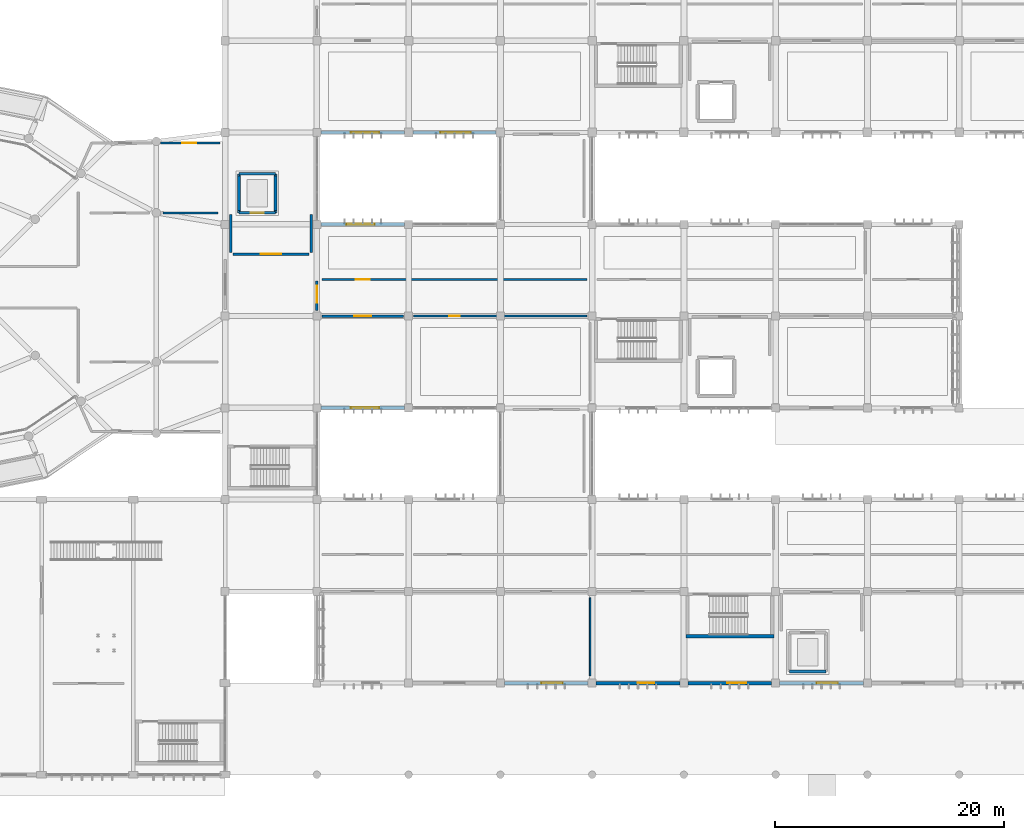
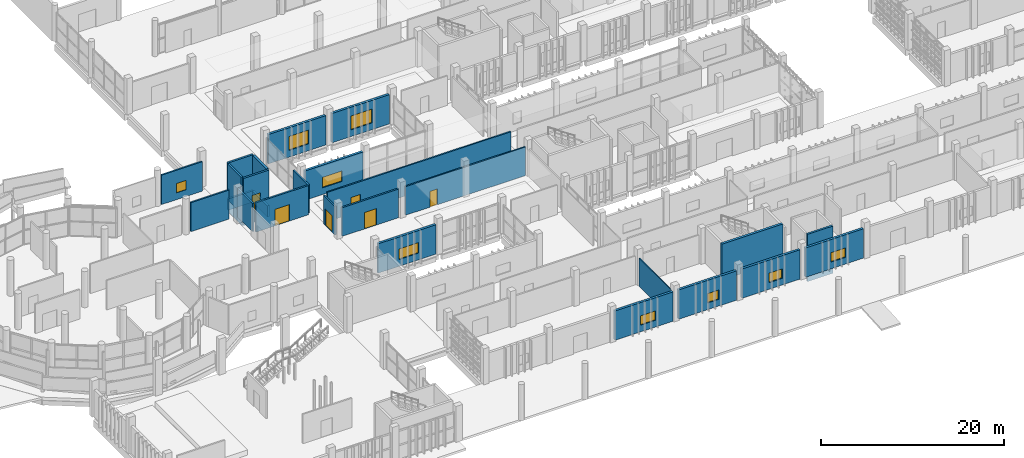
# One storey, part 84 of 117: 29 walls, 9 windows, 6 doors, 15 openings.
"""IFC4 building model written with IfcOpenShell, lengths in metres."""

import ifcopenshell
import ifcopenshell.guid

model = None  # the IFC model being written
_history = None  # IfcOwnerHistory: only IFC2X3 demands one
_inside = {}  # id of a spatial element -> (the spatial element, [elements in it])
_under = {}  # id of a project, library or spatial element -> (it, [spatial elements below it])
_declared = {}  # id of a project -> (the project, [libraries it declares])
_typed = {}  # id of a type object -> (the type object, [elements of that type])
_made_of = {}  # id of a material, layer set ... -> (it, [elements and type objects made of it])


def new_model(schema):
    """Start an empty IFC model of exactly this schema.

    Asked for "IFC4X3", IfcOpenShell would pick the latest addendum, in which some entities
    have other attributes; the version numbers below select the first issue.
    IFC2X3 requires an IfcOwnerHistory on every rooted entity: one is made here for all.
    """
    global model, _history
    if schema == "IFC4X3":
        model = ifcopenshell.file(schema_version=(4, 3, 0, 0))
    else:
        model = ifcopenshell.file(schema=schema)
    _inside.clear()
    _under.clear()
    _declared.clear()
    _typed.clear()
    _made_of.clear()
    _history = None
    if model.schema == "IFC2X3":
        org = make("IfcOrganization", Name="unknown")
        user = make(
            "IfcPersonAndOrganization",
            ThePerson=make("IfcPerson", FamilyName="unknown"),
            TheOrganization=org,
        )
        app = make(
            "IfcApplication",
            ApplicationDeveloper=org,
            Version="unknown",
            ApplicationFullName="unknown",
            ApplicationIdentifier="unknown",
        )
        _history = make(
            "IfcOwnerHistory",
            OwningUser=user,
            OwningApplication=app,
            ChangeAction="ADDED",
            CreationDate=0,
        )
    return model


def make(cls, **values):
    """One entity of the class cls with the attributes given. An attribute that is None is left unset."""
    return model.create_entity(
        cls, **{name: value for name, value in values.items() if value is not None}
    )


def rooted(cls, **values):
    """An entity with a GlobalId (a new one), such as an element, a storey or a relation."""
    return make(cls, GlobalId=ifcopenshell.guid.new(), OwnerHistory=_history, **values)


def si_unit(unit_type, name, prefix=None):
    """IfcSIUnit, for example si_unit("LENGTHUNIT", "METRE", prefix="MILLI")."""
    return make("IfcSIUnit", UnitType=unit_type, Prefix=prefix, Name=name)


def assignment(units):
    """IfcUnitAssignment: the units of a project."""
    return None if units is None else make("IfcUnitAssignment", Units=units)


def point(xyz):
    """IfcCartesianPoint."""
    return None if xyz is None else make("IfcCartesianPoint", Coordinates=xyz)


def direction(xyz):
    """IfcDirection."""
    return None if xyz is None else make("IfcDirection", DirectionRatios=xyz)


def frame(location, z_axis=None, x_axis=None):
    """IfcAxis2Placement3D, a coordinate frame: its origin and axes. An axis left out is left unset."""
    return make(
        "IfcAxis2Placement3D",
        Location=point(location),
        Axis=direction(z_axis),
        RefDirection=direction(x_axis),
    )


def frame_2d(location, x_axis=None):
    """IfcAxis2Placement2D, a coordinate frame in the plane: its origin and x axis."""
    return make(
        "IfcAxis2Placement2D", Location=point(location), RefDirection=direction(x_axis)
    )


def origin():
    """The frame at (0, 0, 0) with its axes left unset."""
    return frame((0.0, 0.0, 0.0))


def place(relative_to, where):
    """IfcLocalPlacement: puts the frame where relative to a parent placement (None: the world)."""
    return make(
        "IfcLocalPlacement", PlacementRelTo=relative_to, RelativePlacement=where
    )


def context(
    kind, dimensions, precision=None, world=None, true_north=None, identifier=None
):
    """IfcGeometricRepresentationContext, for example the 3D "Model" context."""
    return make(
        "IfcGeometricRepresentationContext",
        ContextIdentifier=identifier,
        ContextType=kind,
        CoordinateSpaceDimension=dimensions,
        Precision=precision,
        WorldCoordinateSystem=world,
        TrueNorth=true_north,
    )


def subcontext(parent, identifier, kind, view, scale=None):
    """IfcGeometricRepresentationSubContext, for example "Body" below "Model"."""
    return make(
        "IfcGeometricRepresentationSubContext",
        ContextIdentifier=identifier,
        ContextType=kind,
        ParentContext=parent,
        TargetScale=scale,
        TargetView=view,
    )


def project(units=None, contexts=None):
    """IfcProject with its units and contexts."""
    return rooted(
        "IfcProject",
        Name="project",
        RepresentationContexts=contexts,
        UnitsInContext=assignment(units),
    )


def spatial(cls, under=None, at=None, **own):
    """A site, building, storey or space (cls), placed at a placement, below another one or the project."""
    s = rooted(cls, ObjectPlacement=at, **own)
    if under is not None:
        _under.setdefault(under.id(), (under, []))[1].append(s)
    return s


def profile(cls, at=None, kind="AREA", **sizes):
    """A parametric profile (cls). Its sizes go by their IFC names, for example OverallWidth=200.0."""
    return make(cls, ProfileType=kind, Position=at, **sizes)


def rectangle(**sizes):
    """IfcRectangleProfileDef."""
    return profile("IfcRectangleProfileDef", **sizes)


def extrude(swept, where, along, depth):
    """IfcExtrudedAreaSolid: the profile swept, set in the frame where, extruded along a direction by depth."""
    return make(
        "IfcExtrudedAreaSolid",
        SweptArea=swept,
        Position=where,
        ExtrudedDirection=direction(along),
        Depth=depth,
    )


def shape(context_of_items, identifier, shape_type, items):
    """IfcShapeRepresentation: the items that make up one representation, for example the "Body"."""
    return make(
        "IfcShapeRepresentation",
        ContextOfItems=context_of_items,
        RepresentationIdentifier=identifier,
        RepresentationType=shape_type,
        Items=items,
    )


def material(Name=None, Category=None):
    """IfcMaterial."""
    return make("IfcMaterial", Name=Name, Category=Category)


def layer(
    of_material, thickness, ventilated=None, Name=None, Category=None, Priority=None
):
    """IfcMaterialLayer: one layer of a wall or slab, of a material (None: an air gap)."""
    return make(
        "IfcMaterialLayer",
        Material=of_material,
        LayerThickness=thickness,
        IsVentilated=ventilated,
        Name=Name,
        Category=Category,
        Priority=Priority,
    )


def layer_set(layers, Name=None):
    """IfcMaterialLayerSet."""
    return make("IfcMaterialLayerSet", MaterialLayers=layers, LayerSetName=Name)


def made_of(thing, what):
    """Note that an element or type object is made of a material, layer set ...; save() writes the relation."""
    if what is not None:
        _made_of.setdefault(what.id(), (what, []))[1].append(thing)
    return thing


def type_object(cls, material=None, **own):
    """A type object (cls), such as IfcWallType, which elements share."""
    return made_of(rooted(cls, **own), material)


def element(
    cls,
    number,
    at=None,
    inside=None,
    cuts=None,
    type_object=None,
    material=None,
    context=None,
    identifier="Body",
    shape_type=None,
    held_by="IfcProductDefinitionShape",
    body=None,
    shapes=None,
    **own,
):
    """One element of the class cls, such as IfcWall. Its Tag is "e" and its number.

    at: its placement. inside: the storey or other place that contains it. cuts: it is an
    opening in that element (IfcRelVoidsElement). A single representation is given by context,
    identifier, shape_type and body (its items); several are given by shapes. held_by: the class
    of the entity that holds the representations. save() writes the other relations.
    """
    e = rooted(cls, Tag="e%d" % number, ObjectPlacement=at, **own)
    if body is not None:
        shapes = [shape(context, identifier, shape_type, body)]
    if shapes is not None:
        e.Representation = make(held_by, Representations=shapes)
    if inside is not None:
        _inside.setdefault(inside.id(), (inside, []))[1].append(e)
    if cuts is not None:
        rooted(
            "IfcRelVoidsElement", RelatingBuildingElement=cuts, RelatedOpeningElement=e
        )
    if type_object is not None:
        _typed.setdefault(type_object.id(), (type_object, []))[1].append(e)
    return made_of(e, material)


def fill(opening, filler):
    """IfcRelFillsElement: the door or window that sits in an opening."""
    return rooted(
        "IfcRelFillsElement",
        RelatingOpeningElement=opening,
        RelatedBuildingElement=filler,
    )


def aggregate(whole, parts):
    """IfcRelAggregates: a whole, such as a stair, and the parts it consists of."""
    return rooted("IfcRelAggregates", RelatingObject=whole, RelatedObjects=parts)


def save(model, path):
    """Write the relations noted so far, then the file.

    IfcRelAggregates (storeys below a building ...), IfcRelContainedInSpatialStructure (elements
    in a storey), IfcRelDefinesByType, IfcRelAssociatesMaterial and IfcRelDeclares: one each for
    every whole, place, type object, material and project.
    """
    for whole, parts in _under.values():
        aggregate(whole, parts)
    for where, things in _inside.values():
        rooted(
            "IfcRelContainedInSpatialStructure",
            RelatedElements=things,
            RelatingStructure=where,
        )
    for kind, things in _typed.values():
        rooted("IfcRelDefinesByType", RelatedObjects=things, RelatingType=kind)
    for what, things in _made_of.values():
        rooted("IfcRelAssociatesMaterial", RelatedObjects=things, RelatingMaterial=what)
    for by, libraries in _declared.values():
        rooted("IfcRelDeclares", RelatingContext=by, RelatedDefinitions=libraries)
    model.write(path)


model = new_model("IFC4")

# Units and contexts
model_context = context("Model", 3, precision=1e-05, world=origin(), true_north=direction((0.0, 1.0)))
body_context = subcontext(model_context, "Body", "Model", "MODEL_VIEW")
ifc_project = project(units=[si_unit("LENGTHUNIT", "METRE"), si_unit("AREAUNIT", "SQUARE_METRE"), si_unit("VOLUMEUNIT", "CUBIC_METRE"), si_unit("PLANEANGLEUNIT", "RADIAN"), si_unit("MASSUNIT", "GRAM", prefix="KILO")], contexts=[model_context])

# Site, building, storey
site_placement = place(None, origin())
site = spatial("IfcSite", under=ifc_project, at=site_placement, CompositionType="ELEMENT")
building_placement = place(site_placement, origin())
building = spatial("IfcBuilding", under=site, at=building_placement, Name="Jelvoka-Kovrelna Polytechnic", CompositionType="ELEMENT")
storey_placement = place(building_placement, origin())
storey = spatial("IfcBuildingStorey", under=building, at=storey_placement, Name="L01", CompositionType="ELEMENT", Elevation=0.0)

# Wall, opening, door
ifc_material_1 = material(Name="Concrete C35/45", Category="concrete")
ifc_layer_1 = layer(ifc_material_1, 0.219970703125)
ifc_layer_set_1 = layer_set([ifc_layer_1], Name="Concrete C35/45")
wall_type_1 = type_object("IfcWallType", Name="Wall_Compartment_220", PredefinedType="PARTITIONING", material=ifc_layer_set_1)
wall_1_placement = place(storey_placement, frame((48.699951171875, 45.39990234375, 0.0), z_axis=(0.0, 0.0, 1.0), x_axis=(1.0, 0.0, 0.0)))
wall_1 = element("IfcWall", 1, at=wall_1_placement, inside=storey, type_object=wall_type_1, Name="L01 interior wall 0567", PredefinedType="PARTITIONING", context=body_context, shape_type="SweptSolid", body=[
    extrude(rectangle(XDim=6.60009765625, YDim=0.219970703125, at=frame_2d((3.300048828125, 0.0))), origin(), (0.0, 0.0, 1.0), 3.89990234375),
])
opening_1_placement = place(wall_1_placement, frame((2.39990234375, 0.0, 0.0)))
opening_1 = element("IfcOpeningElement", 2, at=opening_1_placement, cuts=wall_1, Name="Opening FD-L01-102", PredefinedType="OPENING", context=body_context, shape_type="SweptSolid", body=[
    extrude(rectangle(XDim=1.800048828125, YDim=2.199951171875, at=frame_2d((0.89990234375, 1.10009765625))), frame((0.0, 0.119873046875, 0.0), z_axis=(0.0, -1.0, 0.0), x_axis=(1.0, 0.0, 0.0)), (0.0, 0.0, 1.0), 0.239990234375),
])
ifc_material_2 = material(Name="Paired steel corridor fire door", Category="steel")
door_type_1 = type_object("IfcDoorType", Name="Door_Fire_FD03", OperationType="NOTDEFINED", PredefinedType="DOOR", material=ifc_material_2)
door_1_placement = place(opening_1_placement, origin())
door_1 = element("IfcDoor", 3, at=door_1_placement, inside=storey, type_object=door_type_1, Name="L01 interior door FD-L01-102", OperationType="DOUBLE_DOOR_SINGLE_SWING", OverallHeight=2.199951171875, OverallWidth=1.800048828125, PredefinedType="DOOR", context=body_context, shape_type="SweptSolid", body=[
    extrude(rectangle(XDim=1.800048828125, YDim=2.199951171875, at=frame_2d((0.89990234375, 1.10009765625))), frame((0.0, 0.02490234375, 0.0), z_axis=(0.0, -1.0, 0.0), x_axis=(1.0, 0.0, 0.0)), (0.0, 0.0, 1.0), 0.050048828125),
])
fill(opening_1, door_1)

# Walls
for number, where, z_axis, x_axis, name in (
    (4, (48.5, 45.550048828125, 0.0), (0.0, 0.0, 1.0), (0.0, 1.0, 0.0), "L01 interior wall 0568"),
    (5, (55.5, 45.550048828125, 0.0), (0.0, 0.0, 1.0), (0.0, 1.0, 0.0), "L01 interior wall 0569"),
):
    element("IfcWall", number, at=place(storey_placement, frame(where, z_axis=z_axis, x_axis=x_axis)), inside=storey, type_object=wall_type_1, Name=name, PredefinedType="PARTITIONING", context=body_context, shape_type="SweptSolid", body=[
        extrude(rectangle(XDim=3.300048828125, YDim=0.219970703125, at=frame_2d((1.64990234375, 0.0))), origin(), (0.0, 0.0, 1.0), 3.760009765625),
    ])

# Wall, opening, door
wall_2_placement = place(storey_placement, frame((56.429931640625, 40.0, 0.0), z_axis=(0.0, 0.0, 1.0), x_axis=(1.0, 0.0, 0.0)))
wall_2 = element("IfcWall", 6, at=wall_2_placement, inside=storey, type_object=wall_type_1, Name="L01 interior wall 0869", PredefinedType="PARTITIONING", context=body_context, shape_type="SweptSolid", body=[
    extrude(rectangle(XDim=7.14013671875, YDim=0.219970703125, at=frame_2d((3.570068359375, 0.0))), origin(), (0.0, 0.0, 1.0), 3.81005859375),
])
opening_2_placement = place(wall_2_placement, frame((2.820068359375, 0.0, 0.0)))
opening_2 = element("IfcOpeningElement", 7, at=opening_2_placement, cuts=wall_2, Name="Opening D-L01-166", PredefinedType="OPENING", context=body_context, shape_type="SweptSolid", body=[
    extrude(rectangle(XDim=1.5, YDim=2.199951171875, at=frame_2d((0.75, 1.10009765625))), frame((0.0, 0.119873046875, 0.0), z_axis=(0.0, -1.0, 0.0), x_axis=(1.0, 0.0, 0.0)), (0.0, 0.0, 1.0), 0.239990234375),
])
ifc_material_3 = material(Name="Paired steel stair lobby fire door", Category="steel")
door_type_2 = type_object("IfcDoorType", Name="Door_Fire_FD04", OperationType="NOTDEFINED", PredefinedType="DOOR", material=ifc_material_3)
door_2_placement = place(opening_2_placement, origin())
door_2 = element("IfcDoor", 8, at=door_2_placement, inside=storey, type_object=door_type_2, Name="L01 interior door D-L01-166", OperationType="DOUBLE_DOOR_SINGLE_SWING", OverallHeight=2.199951171875, OverallWidth=1.5, PredefinedType="DOOR", context=body_context, shape_type="SweptSolid", body=[
    extrude(rectangle(XDim=1.5, YDim=2.199951171875, at=frame_2d((0.75, 1.10009765625))), frame((0.0, 0.02490234375, 0.0), z_axis=(0.0, -1.0, 0.0), x_axis=(1.0, 0.0, 0.0)), (0.0, 0.0, 1.0), 0.050048828125),
])
fill(opening_2, door_2)

wall_3_placement = place(storey_placement, frame((56.0, 40.5, 0.0), z_axis=(0.0, 0.0, 1.0), x_axis=(0.0, 1.0, 0.0)))
wall_3 = element("IfcWall", 9, at=wall_3_placement, inside=storey, type_object=wall_type_1, Name="L01 interior wall 1327", PredefinedType="PARTITIONING", context=body_context, shape_type="SweptSolid", body=[
    extrude(rectangle(XDim=2.550048828125, YDim=0.219970703125, at=frame_2d((1.27490234375, 0.0))), origin(), (0.0, 0.0, 1.0), 3.760009765625),
])
opening_3_placement = place(wall_3_placement, frame((0.64990234375, 0.0, 0.0)))
opening_3 = element("IfcOpeningElement", 10, at=opening_3_placement, cuts=wall_3, Name="Opening FD-L01-479", PredefinedType="OPENING", context=body_context, shape_type="SweptSolid", body=[
    extrude(rectangle(XDim=1.5, YDim=2.199951171875, at=frame_2d((0.75, 1.10009765625))), frame((0.0, 0.119873046875, 0.0), z_axis=(0.0, -1.0, 0.0), x_axis=(1.0, 0.0, 0.0)), (0.0, 0.0, 1.0), 0.239990234375),
])
door_3_placement = place(opening_3_placement, origin())
door_3 = element("IfcDoor", 11, at=door_3_placement, inside=storey, type_object=door_type_2, Name="L01 interior door FD-L01-479", OperationType="DOUBLE_DOOR_SINGLE_SWING", OverallHeight=2.199951171875, OverallWidth=1.5, PredefinedType="DOOR", context=body_context, shape_type="SweptSolid", body=[
    extrude(rectangle(XDim=1.5, YDim=2.199951171875, at=frame_2d((0.75, 1.10009765625))), frame((0.0, 0.02490234375, 0.0), z_axis=(0.0, -1.0, 0.0), x_axis=(1.0, 0.0, 0.0)), (0.0, 0.0, 1.0), 0.050048828125),
])
fill(opening_3, door_3)

# Walls
ifc_material_4 = material(Name="Concrete C40/50", Category="concrete")
ifc_layer_2 = layer(ifc_material_4, 0.25)
ifc_layer_set_2 = layer_set([ifc_layer_2], Name="Concrete C40/50")
wall_type_2 = type_object("IfcWallType", Name="Wall_Core_250", PredefinedType="SOLIDWALL", material=ifc_layer_set_2)
wall_4_placement = place(storey_placement, frame((97.199951171875, 9.0, -1.5), z_axis=(0.0, 0.0, 1.0), x_axis=(1.0, 0.0, 0.0)))
element("IfcWall", 12, at=wall_4_placement, inside=storey, type_object=wall_type_2, Name="L01 interior wall 0516", PredefinedType="SOLIDWALL", context=body_context, shape_type="SweptSolid", body=[
    extrude(rectangle(XDim=3.199951171875, YDim=0.25, at=frame_2d((1.60009765625, 0.0))), origin(), (0.0, 0.0, 1.0), 1.5),
])
wall_5_placement = place(storey_placement, frame((97.199951171875, 9.0, 0.0), z_axis=(0.0, 0.0, 1.0), x_axis=(1.0, 0.0, 0.0)))
element("IfcWall", 13, at=wall_5_placement, inside=storey, type_object=wall_type_2, Name="L01 interior wall 0520", PredefinedType="SOLIDWALL", context=body_context, shape_type="SweptSolid", body=[
    extrude(rectangle(XDim=3.199951171875, YDim=0.25, at=frame_2d((1.60009765625, 0.0))), origin(), (0.0, 0.0, 1.0), 4.800048828125),
])
wall_6_placement = place(storey_placement, frame((49.199951171875, 49.0, -1.5), z_axis=(0.0, 0.0, 1.0), x_axis=(1.0, 0.0, 0.0)))
element("IfcWall", 14, at=wall_6_placement, inside=storey, type_object=wall_type_2, Name="L01 interior wall 0559", PredefinedType="SOLIDWALL", context=body_context, shape_type="SweptSolid", body=[
    extrude(rectangle(XDim=3.199951171875, YDim=0.25, at=frame_2d((1.60009765625, 0.0))), origin(), (0.0, 0.0, 1.0), 1.5),
])
wall_7_placement = place(storey_placement, frame((52.39990234375, 49.0, -1.5), z_axis=(0.0, 0.0, 1.0), x_axis=(0.0, 1.0, 0.0)))
element("IfcWall", 15, at=wall_7_placement, inside=storey, type_object=wall_type_2, Name="L01 interior wall 0560", PredefinedType="SOLIDWALL", context=body_context, shape_type="SweptSolid", body=[
    extrude(rectangle(XDim=3.39990234375, YDim=0.25, at=frame_2d((1.699951171875, 0.0))), origin(), (0.0, 0.0, 1.0), 1.5),
])
wall_8_placement = place(storey_placement, frame((52.39990234375, 52.39990234375, -1.5), z_axis=(0.0, 0.0, 1.0), x_axis=(-1.0, 0.0, 0.0)))
element("IfcWall", 16, at=wall_8_placement, inside=storey, type_object=wall_type_2, Name="L01 interior wall 0561", PredefinedType="SOLIDWALL", context=body_context, shape_type="SweptSolid", body=[
    extrude(rectangle(XDim=3.199951171875, YDim=0.25, at=frame_2d((1.60009765625, 0.0))), origin(), (0.0, 0.0, 1.0), 1.5),
])
wall_9_placement = place(storey_placement, frame((49.199951171875, 52.39990234375, -1.5), z_axis=(0.0, 0.0, 1.0), x_axis=(0.0, -1.0, 0.0)))
element("IfcWall", 17, at=wall_9_placement, inside=storey, type_object=wall_type_2, Name="L01 interior wall 0562", PredefinedType="SOLIDWALL", context=body_context, shape_type="SweptSolid", body=[
    extrude(rectangle(XDim=3.39990234375, YDim=0.25, at=frame_2d((1.699951171875, 0.0))), origin(), (0.0, 0.0, 1.0), 1.5),
])

# Wall, opening, door
wall_10_placement = place(storey_placement, frame((49.199951171875, 49.0, 0.0), z_axis=(0.0, 0.0, 1.0), x_axis=(1.0, 0.0, 0.0)))
wall_10 = element("IfcWall", 18, at=wall_10_placement, inside=storey, type_object=wall_type_2, Name="L01 interior wall 0563", PredefinedType="SOLIDWALL", context=body_context, shape_type="SweptSolid", body=[
    extrude(rectangle(XDim=3.199951171875, YDim=0.25, at=frame_2d((1.60009765625, 0.0))), origin(), (0.0, 0.0, 1.0), 4.800048828125),
])
opening_4_placement = place(wall_10_placement, frame((1.050048828125, 0.0, 0.0)))
opening_4 = element("IfcOpeningElement", 19, at=opening_4_placement, cuts=wall_10, Name="Opening LD-L01-39", PredefinedType="OPENING", context=body_context, shape_type="SweptSolid", body=[
    extrude(rectangle(XDim=1.10009765625, YDim=2.14990234375, at=frame_2d((0.550048828125, 1.074951171875))), frame((0.0, 0.135009765625, 0.0), z_axis=(0.0, -1.0, 0.0), x_axis=(1.0, 0.0, 0.0)), (0.0, 0.0, 1.0), 0.27001953125),
])
ifc_material_5 = material(Name="Brushed stainless steel sliding landing door", Category="steel")
door_type_3 = type_object("IfcDoorType", Name="Door_Lift_LD01", OperationType="NOTDEFINED", PredefinedType="DOOR", material=ifc_material_5)
door_4_placement = place(opening_4_placement, origin())
door_4 = element("IfcDoor", 20, at=door_4_placement, inside=storey, type_object=door_type_3, Name="L01 lift landing sliding door LD-L01-39", OperationType="DOUBLE_DOOR_SLIDING", OverallHeight=2.14990234375, OverallWidth=1.10009765625, PredefinedType="DOOR", context=body_context, shape_type="SweptSolid", body=[
    extrude(rectangle(XDim=1.10009765625, YDim=2.14990234375, at=frame_2d((0.550048828125, 1.074951171875))), frame((0.0, 0.02490234375, 0.0), z_axis=(0.0, -1.0, 0.0), x_axis=(1.0, 0.0, 0.0)), (0.0, 0.0, 1.0), 0.050048828125),
])
fill(opening_4, door_4)

# Walls
wall_11_placement = place(storey_placement, frame((49.199951171875, 52.39990234375, 0.0), z_axis=(0.0, 0.0, 1.0), x_axis=(1.0, 0.0, 0.0)))
element("IfcWall", 21, at=wall_11_placement, inside=storey, type_object=wall_type_2, Name="L01 interior wall 0564", PredefinedType="SOLIDWALL", context=body_context, shape_type="SweptSolid", body=[
    extrude(rectangle(XDim=3.199951171875, YDim=0.25, at=frame_2d((1.60009765625, 0.0))), origin(), (0.0, 0.0, 1.0), 4.800048828125),
])
for number, where, z_axis, x_axis, name in (
    (22, (49.199951171875, 49.199951171875, 0.0), (0.0, 0.0, 1.0), (0.0, 1.0, 0.0), "L01 interior wall 0565"),
    (23, (52.39990234375, 49.199951171875, 0.0), (0.0, 0.0, 1.0), (0.0, 1.0, 0.0), "L01 interior wall 0566"),
):
    element("IfcWall", number, at=place(storey_placement, frame(where, z_axis=z_axis, x_axis=x_axis)), inside=storey, type_object=wall_type_2, Name=name, PredefinedType="SOLIDWALL", context=body_context, shape_type="SweptSolid", body=[
        extrude(rectangle(XDim=3.0, YDim=0.25, at=frame_2d((1.5, 0.0))), origin(), (0.0, 0.0, 1.0), 4.800048828125),
    ])

# Wall, opening, door
ifc_material_6 = material(Name="Autoclaved aerated concrete blockwork", Category="masonry")
ifc_layer_3 = layer(ifc_material_6, 0.179931640625)
ifc_layer_set_3 = layer_set([ifc_layer_3], Name="Autoclaved aerated concrete blockwork")
wall_type_3 = type_object("IfcWallType", Name="Wall_Corridor_180", PredefinedType="PARTITIONING", material=ifc_layer_set_3)
wall_12_placement = place(storey_placement, frame((64.429931640625, 40.0, 0.0), z_axis=(0.0, 0.0, 1.0), x_axis=(1.0, 0.0, 0.0)))
wall_12 = element("IfcWall", 24, at=wall_12_placement, inside=storey, type_object=wall_type_3, Name="L01 interior wall 0870", PredefinedType="PARTITIONING", context=body_context, shape_type="SweptSolid", body=[
    extrude(rectangle(XDim=15.14013671875, YDim=0.179931640625, at=frame_2d((7.570068359375, 0.0))), origin(), (0.0, 0.0, 1.0), 3.81005859375),
])
opening_5_placement = place(wall_12_placement, frame((3.094970703125, 0.0, 0.0)))
opening_5 = element("IfcOpeningElement", 25, at=opening_5_placement, cuts=wall_12, Name="Opening D-L01-167", PredefinedType="OPENING", context=body_context, shape_type="SweptSolid", body=[
    extrude(rectangle(XDim=0.949951171875, YDim=2.10009765625, at=frame_2d((0.47509765625, 1.050048828125))), frame((0.0, 0.099853515625, 0.0), z_axis=(0.0, -1.0, 0.0), x_axis=(1.0, 0.0, 0.0)), (0.0, 0.0, 1.0), 0.199951171875),
])
ifc_material_7 = material(Name="Hardwood fire-resisting laboratory door", Category="wood")
door_type_4 = type_object("IfcDoorType", Name="Door_Fire_FD30_01", OperationType="NOTDEFINED", PredefinedType="DOOR", material=ifc_material_7)
door_5_placement = place(opening_5_placement, origin())
door_5 = element("IfcDoor", 26, at=door_5_placement, inside=storey, type_object=door_type_4, Name="L01 interior door D-L01-167", OperationType="SINGLE_SWING_LEFT", OverallHeight=2.10009765625, OverallWidth=0.949951171875, PredefinedType="DOOR", context=body_context, shape_type="SweptSolid", body=[
    extrude(rectangle(XDim=0.949951171875, YDim=2.10009765625, at=frame_2d((0.47509765625, 1.050048828125))), frame((0.0, 0.02490234375, 0.0), z_axis=(0.0, -1.0, 0.0), x_axis=(1.0, 0.0, 0.0)), (0.0, 0.0, 1.0), 0.050048828125),
])
fill(opening_5, door_5)

wall_13_placement = place(storey_placement, frame((56.429931640625, 43.199951171875, 0.0), z_axis=(0.0, 0.0, 1.0), x_axis=(1.0, 0.0, 0.0)))
wall_13 = element("IfcWall", 27, at=wall_13_placement, inside=storey, type_object=wall_type_3, Name="L01 interior wall 0873", PredefinedType="PARTITIONING", context=body_context, shape_type="SweptSolid", body=[
    extrude(rectangle(XDim=23.14013671875, YDim=0.179931640625, at=frame_2d((11.570068359375, 0.0))), origin(), (0.0, 0.0, 1.0), 3.89990234375),
])
opening_6_placement = place(wall_13_placement, frame((2.9599609375, 0.0, 0.0)))
opening_6 = element("IfcOpeningElement", 28, at=opening_6_placement, cuts=wall_13, Name="Opening D-L01-169", PredefinedType="OPENING", context=body_context, shape_type="SweptSolid", body=[
    extrude(rectangle(XDim=1.219970703125, YDim=2.179931640625, at=frame_2d((0.60986328125, 1.08984375))), frame((0.0, 0.099853515625, 0.0), z_axis=(0.0, -1.0, 0.0), x_axis=(1.0, 0.0, 0.0)), (0.0, 0.0, 1.0), 0.199951171875),
])
ifc_material_8 = material(Name="Hardwood fire-resisting laboratory door", Category="wood")
door_type_5 = type_object("IfcDoorType", Name="Door_Fire_FD30_04", OperationType="NOTDEFINED", PredefinedType="DOOR", material=ifc_material_8)
door_6_placement = place(opening_6_placement, origin())
door_6 = element("IfcDoor", 29, at=door_6_placement, inside=storey, type_object=door_type_5, Name="L01 interior door D-L01-169", OperationType="SINGLE_SWING_LEFT", OverallHeight=2.179931640625, OverallWidth=1.219970703125, PredefinedType="DOOR", context=body_context, shape_type="SweptSolid", body=[
    extrude(rectangle(XDim=1.219970703125, YDim=2.179931640625, at=frame_2d((0.60986328125, 1.08984375))), frame((0.0, 0.02490234375, 0.0), z_axis=(0.0, -1.0, 0.0), x_axis=(1.0, 0.0, 0.0)), (0.0, 0.0, 1.0), 0.050048828125),
])
fill(opening_6, door_6)

# Wall
wall_14_placement = place(storey_placement, frame((42.60009765625, 49.0, 0.0), z_axis=(0.0, 0.0, 1.0), x_axis=(1.0, 0.0, 0.0)))
element("IfcWall", 30, at=wall_14_placement, inside=storey, type_object=wall_type_3, Name="L01 interior wall 0924", PredefinedType="PARTITIONING", context=body_context, shape_type="SweptSolid", body=[
    extrude(rectangle(XDim=4.7998046875, YDim=0.179931640625, at=frame_2d((2.39990234375, 0.0))), origin(), (0.0, 0.0, 1.0), 3.875),
])

# Wall, opening, window
ifc_material_9 = material(Name="Precast concrete C40/50", Category="concrete")
ifc_layer_4 = layer(ifc_material_9, 0.18505859375)
ifc_layer_set_4 = layer_set([ifc_layer_4], Name="Precast concrete C40/50")
wall_type_4 = type_object("IfcWallType", Name="Wall_Ext_White_260", PredefinedType="STANDARD", material=ifc_layer_set_4)
wall_15_placement = place(storey_placement, frame((42.3720703125, 55.077880859375, 0.0), z_axis=(0.0, 0.0, 1.0), x_axis=(1.0, 0.0, 0.0)))
wall_15 = element("IfcWall", 31, at=wall_15_placement, inside=storey, type_object=wall_type_4, Name="L01 exterior wall 0959", PredefinedType="STANDARD", context=body_context, shape_type="SweptSolid", body=[
    extrude(rectangle(XDim=5.177978515625, YDim=0.18505859375, at=frame_2d((2.5888671875, 0.0))), origin(), (0.0, 0.0, 1.0), 3.925048828125),
])
opening_7_placement = place(wall_15_placement, frame((1.8779296875, 0.0, 0.89990234375)))
opening_7 = element("IfcOpeningElement", 32, at=opening_7_placement, cuts=wall_15, Name="Opening W-L01-540", PredefinedType="OPENING", context=body_context, shape_type="SweptSolid", body=[
    extrude(rectangle(XDim=1.25, YDim=1.25, at=frame_2d((0.625, 0.625))), frame((0.0, 0.1025390625, 0.0), z_axis=(0.0, -1.0, 0.0), x_axis=(1.0, 0.0, 0.0)), (0.0, 0.0, 1.0), 0.205078125),
])
ifc_material_10 = material(Name="Thermally broken anodised aluminium and low-e glazing", Category="aluminium")
window_type_1 = type_object("IfcWindowType", Name="Win_Casement_W02", PartitioningType="SINGLE_PANEL", PredefinedType="WINDOW", material=ifc_material_10)
window_1_placement = place(opening_7_placement, origin())
window_1 = element("IfcWindow", 33, at=window_1_placement, inside=storey, type_object=window_type_1, Name="L01 aluminium casement window W-L01-540", OverallHeight=1.25, OverallWidth=1.25, PartitioningType="SINGLE_PANEL", PredefinedType="WINDOW", context=body_context, shape_type="SweptSolid", body=[
    extrude(rectangle(XDim=1.25, YDim=1.25, at=frame_2d((0.625, 0.625))), frame((0.0, 0.030029296875, 0.0), z_axis=(0.0, -1.0, 0.0), x_axis=(1.0, 0.0, 0.0)), (0.0, 0.0, 1.0), 0.06005859375),
])
fill(opening_7, window_1)

ifc_material_11 = material(Name="Precast concrete C40/50", Category="concrete")
ifc_layer_5 = layer(ifc_material_11, 0.300048828125)
ifc_layer_set_5 = layer_set([ifc_layer_5], Name="Precast concrete C40/50")
wall_type_5 = type_object("IfcWallType", Name="Wall_Ext_White_300", PredefinedType="STANDARD", material=ifc_layer_set_5)
wall_16_placement = place(storey_placement, frame((79.653076171875, 8.0, 0.0), z_axis=(0.0, 0.0, 1.0), x_axis=(-1.0, 0.0, 0.0)))
wall_16 = element("IfcWall", 34, at=wall_16_placement, inside=storey, type_object=wall_type_5, Name="L01 exterior wall 0234", PredefinedType="STANDARD", context=body_context, shape_type="SweptSolid", body=[
    extrude(rectangle(XDim=7.30615234375, YDim=0.300048828125, at=frame_2d((3.653076171875, 0.0))), origin(), (0.0, 0.0, 1.0), 3.909912109375),
])
opening_8_placement = place(wall_16_placement, frame((2.23291015625, 0.0, 0.89990234375)))
opening_8 = element("IfcOpeningElement", 35, at=opening_8_placement, cuts=wall_16, Name="Opening W-L01-004", PredefinedType="OPENING", context=body_context, shape_type="SweptSolid", body=[
    extrude(rectangle(XDim=1.85009765625, YDim=1.25, at=frame_2d((0.925048828125, 0.625))), frame((0.0, 0.159912109375, 0.0), z_axis=(0.0, -1.0, 0.0), x_axis=(1.0, 0.0, 0.0)), (0.0, 0.0, 1.0), 0.320068359375),
])
ifc_material_12 = material(Name="Thermally broken anodised aluminium and low-e glazing", Category="aluminium")
window_type_2 = type_object("IfcWindowType", Name="Win_Casement_W05", PartitioningType="DOUBLE_PANEL_VERTICAL", PredefinedType="WINDOW", material=ifc_material_12)
window_2_placement = place(opening_8_placement, origin())
window_2 = element("IfcWindow", 36, at=window_2_placement, inside=storey, type_object=window_type_2, Name="L01 aluminium casement window W-L01-004", OverallHeight=1.25, OverallWidth=1.85009765625, PartitioningType="DOUBLE_PANEL_VERTICAL", PredefinedType="WINDOW", context=body_context, shape_type="SweptSolid", body=[
    extrude(rectangle(XDim=1.85009765625, YDim=1.25, at=frame_2d((0.925048828125, 0.625))), frame((0.0, 0.030029296875, 0.0), z_axis=(0.0, -1.0, 0.0), x_axis=(1.0, 0.0, 0.0)), (0.0, 0.0, 1.0), 0.06005859375),
])
fill(opening_8, window_2)

wall_17_placement = place(storey_placement, frame((87.653076171875, 8.0, 0.0), z_axis=(0.0, 0.0, 1.0), x_axis=(-1.0, 0.0, 0.0)))
wall_17 = element("IfcWall", 37, at=wall_17_placement, inside=storey, type_object=wall_type_5, Name="L01 exterior wall 0235", PredefinedType="STANDARD", context=body_context, shape_type="SweptSolid", body=[
    extrude(rectangle(XDim=7.30615234375, YDim=0.300048828125, at=frame_2d((3.653076171875, 0.0))), origin(), (0.0, 0.0, 1.0), 3.909912109375),
])
opening_9_placement = place(wall_17_placement, frame((2.23291015625, 0.0, 0.89990234375)))
opening_9 = element("IfcOpeningElement", 38, at=opening_9_placement, cuts=wall_17, Name="Opening W-L01-005", PredefinedType="OPENING", context=body_context, shape_type="SweptSolid", body=[
    extrude(rectangle(XDim=1.449951171875, YDim=1.25, at=frame_2d((0.72509765625, 0.625))), frame((0.0, 0.159912109375, 0.0), z_axis=(0.0, -1.0, 0.0), x_axis=(1.0, 0.0, 0.0)), (0.0, 0.0, 1.0), 0.320068359375),
])
ifc_material_13 = material(Name="Thermally broken anodised aluminium and low-e glazing", Category="aluminium")
window_type_3 = type_object("IfcWindowType", Name="Win_Casement_W03", PartitioningType="SINGLE_PANEL", PredefinedType="WINDOW", material=ifc_material_13)
window_3_placement = place(opening_9_placement, origin())
window_3 = element("IfcWindow", 39, at=window_3_placement, inside=storey, type_object=window_type_3, Name="L01 aluminium casement window W-L01-005", OverallHeight=1.25, OverallWidth=1.449951171875, PartitioningType="SINGLE_PANEL", PredefinedType="WINDOW", context=body_context, shape_type="SweptSolid", body=[
    extrude(rectangle(XDim=1.449951171875, YDim=1.25, at=frame_2d((0.72509765625, 0.625))), frame((0.0, 0.030029296875, 0.0), z_axis=(0.0, -1.0, 0.0), x_axis=(1.0, 0.0, 0.0)), (0.0, 0.0, 1.0), 0.06005859375),
])
fill(opening_9, window_3)

wall_18_placement = place(storey_placement, frame((95.653076171875, 8.0, 0.0), z_axis=(0.0, 0.0, 1.0), x_axis=(-1.0, 0.0, 0.0)))
wall_18 = element("IfcWall", 40, at=wall_18_placement, inside=storey, type_object=wall_type_5, Name="L01 exterior wall 0237", PredefinedType="STANDARD", context=body_context, shape_type="SweptSolid", body=[
    extrude(rectangle(XDim=7.30615234375, YDim=0.300048828125, at=frame_2d((3.653076171875, 0.0))), origin(), (0.0, 0.0, 1.0), 3.909912109375),
])
opening_10_placement = place(wall_18_placement, frame((2.23291015625, 0.0, 0.89990234375)))
opening_10 = element("IfcOpeningElement", 41, at=opening_10_placement, cuts=wall_18, Name="Opening W-L01-007", PredefinedType="OPENING", context=body_context, shape_type="SweptSolid", body=[
    extrude(rectangle(XDim=1.64990234375, YDim=1.25, at=frame_2d((0.824951171875, 0.625))), frame((0.0, 0.159912109375, 0.0), z_axis=(0.0, -1.0, 0.0), x_axis=(1.0, 0.0, 0.0)), (0.0, 0.0, 1.0), 0.320068359375),
])
ifc_material_14 = material(Name="Thermally broken anodised aluminium and low-e glazing", Category="aluminium")
window_type_4 = type_object("IfcWindowType", Name="Win_Casement_W04", PartitioningType="DOUBLE_PANEL_VERTICAL", PredefinedType="WINDOW", material=ifc_material_14)
window_4_placement = place(opening_10_placement, origin())
window_4 = element("IfcWindow", 42, at=window_4_placement, inside=storey, type_object=window_type_4, Name="L01 aluminium casement window W-L01-007", OverallHeight=1.25, OverallWidth=1.64990234375, PartitioningType="DOUBLE_PANEL_VERTICAL", PredefinedType="WINDOW", context=body_context, shape_type="SweptSolid", body=[
    extrude(rectangle(XDim=1.64990234375, YDim=1.25, at=frame_2d((0.824951171875, 0.625))), frame((0.0, 0.030029296875, 0.0), z_axis=(0.0, -1.0, 0.0), x_axis=(1.0, 0.0, 0.0)), (0.0, 0.0, 1.0), 0.06005859375),
])
fill(opening_10, window_4)

wall_19_placement = place(storey_placement, frame((103.653076171875, 8.0, 0.0), z_axis=(0.0, 0.0, 1.0), x_axis=(-1.0, 0.0, 0.0)))
wall_19 = element("IfcWall", 43, at=wall_19_placement, inside=storey, type_object=wall_type_5, Name="L01 exterior wall 0239", PredefinedType="STANDARD", context=body_context, shape_type="SweptSolid", body=[
    extrude(rectangle(XDim=7.30615234375, YDim=0.300048828125, at=frame_2d((3.653076171875, 0.0))), origin(), (0.0, 0.0, 1.0), 3.909912109375),
])
opening_11_placement = place(wall_19_placement, frame((2.23291015625, 0.0, 0.89990234375)))
opening_11 = element("IfcOpeningElement", 44, at=opening_11_placement, cuts=wall_19, Name="Opening W-L01-009", PredefinedType="OPENING", context=body_context, shape_type="SweptSolid", body=[
    extrude(rectangle(XDim=1.85009765625, YDim=1.25, at=frame_2d((0.925048828125, 0.625))), frame((0.0, 0.159912109375, 0.0), z_axis=(0.0, -1.0, 0.0), x_axis=(1.0, 0.0, 0.0)), (0.0, 0.0, 1.0), 0.320068359375),
])
window_5_placement = place(opening_11_placement, origin())
window_5 = element("IfcWindow", 45, at=window_5_placement, inside=storey, type_object=window_type_2, Name="L01 aluminium casement window W-L01-009", OverallHeight=1.25, OverallWidth=1.85009765625, PartitioningType="DOUBLE_PANEL_VERTICAL", PredefinedType="WINDOW", context=body_context, shape_type="SweptSolid", body=[
    extrude(rectangle(XDim=1.85009765625, YDim=1.25, at=frame_2d((0.925048828125, 0.625))), frame((0.0, 0.030029296875, 0.0), z_axis=(0.0, -1.0, 0.0), x_axis=(1.0, 0.0, 0.0)), (0.0, 0.0, 1.0), 0.06005859375),
])
fill(opening_11, window_5)

wall_20_placement = place(storey_placement, frame((63.653076171875, 32.0, 0.0), z_axis=(0.0, 0.0, 1.0), x_axis=(-1.0, 0.0, 0.0)))
wall_20 = element("IfcWall", 46, at=wall_20_placement, inside=storey, type_object=wall_type_5, Name="L01 exterior wall 0364", PredefinedType="STANDARD", context=body_context, shape_type="SweptSolid", body=[
    extrude(rectangle(XDim=7.30615234375, YDim=0.300048828125, at=frame_2d((3.653076171875, 0.0))), origin(), (0.0, 0.0, 1.0), 3.909912109375),
])
opening_12_placement = place(wall_20_placement, frame((2.23291015625, 0.0, 0.89990234375)))
opening_12 = element("IfcOpeningElement", 47, at=opening_12_placement, cuts=wall_20, Name="Opening W-L01-114", PredefinedType="OPENING", context=body_context, shape_type="SweptSolid", body=[
    extrude(rectangle(XDim=2.449951171875, YDim=1.39990234375, at=frame_2d((1.22509765625, 0.699951171875))), frame((0.0, 0.159912109375, 0.0), z_axis=(0.0, -1.0, 0.0), x_axis=(1.0, 0.0, 0.0)), (0.0, 0.0, 1.0), 0.320068359375),
])
ifc_material_15 = material(Name="Thermally broken anodised aluminium and low-e glazing", Category="aluminium")
window_type_5 = type_object("IfcWindowType", Name="Win_Casement_W18", PartitioningType="DOUBLE_PANEL_VERTICAL", PredefinedType="WINDOW", material=ifc_material_15)
window_6_placement = place(opening_12_placement, origin())
window_6 = element("IfcWindow", 48, at=window_6_placement, inside=storey, type_object=window_type_5, Name="L01 aluminium casement window W-L01-114", OverallHeight=1.39990234375, OverallWidth=2.449951171875, PartitioningType="DOUBLE_PANEL_VERTICAL", PredefinedType="WINDOW", context=body_context, shape_type="SweptSolid", body=[
    extrude(rectangle(XDim=2.449951171875, YDim=1.39990234375, at=frame_2d((1.22509765625, 0.699951171875))), frame((0.0, 0.030029296875, 0.0), z_axis=(0.0, -1.0, 0.0), x_axis=(1.0, 0.0, 0.0)), (0.0, 0.0, 1.0), 0.06005859375),
])
fill(opening_12, window_6)

wall_21_placement = place(storey_placement, frame((56.346923828125, 48.0, 0.0), z_axis=(0.0, 0.0, 1.0), x_axis=(1.0, 0.0, 0.0)))
wall_21 = element("IfcWall", 49, at=wall_21_placement, inside=storey, type_object=wall_type_5, Name="L01 exterior wall 0365", PredefinedType="STANDARD", context=body_context, shape_type="SweptSolid", body=[
    extrude(rectangle(XDim=7.30615234375, YDim=0.300048828125, at=frame_2d((3.653076171875, 0.0))), origin(), (0.0, 0.0, 1.0), 3.909912109375),
])
opening_13_placement = place(wall_21_placement, frame((2.23291015625, 0.0, 0.89990234375)))
opening_13 = element("IfcOpeningElement", 50, at=opening_13_placement, cuts=wall_21, Name="Opening W-L01-115", PredefinedType="OPENING", context=body_context, shape_type="SweptSolid", body=[
    extrude(rectangle(XDim=2.449951171875, YDim=1.39990234375, at=frame_2d((1.22509765625, 0.699951171875))), frame((0.0, 0.159912109375, 0.0), z_axis=(0.0, -1.0, 0.0), x_axis=(1.0, 0.0, 0.0)), (0.0, 0.0, 1.0), 0.320068359375),
])
window_7_placement = place(opening_13_placement, origin())
window_7 = element("IfcWindow", 51, at=window_7_placement, inside=storey, type_object=window_type_5, Name="L01 aluminium casement window W-L01-115", OverallHeight=1.39990234375, OverallWidth=2.449951171875, PartitioningType="DOUBLE_PANEL_VERTICAL", PredefinedType="WINDOW", context=body_context, shape_type="SweptSolid", body=[
    extrude(rectangle(XDim=2.449951171875, YDim=1.39990234375, at=frame_2d((1.22509765625, 0.699951171875))), frame((0.0, 0.030029296875, 0.0), z_axis=(0.0, -1.0, 0.0), x_axis=(1.0, 0.0, 0.0)), (0.0, 0.0, 1.0), 0.06005859375),
])
fill(opening_13, window_7)

wall_22_placement = place(storey_placement, frame((63.6279296875, 56.0, 0.0), z_axis=(0.0, 0.0, 1.0), x_axis=(-1.0, 0.0, 0.0)))
wall_22 = element("IfcWall", 52, at=wall_22_placement, inside=storey, type_object=wall_type_5, Name="L01 exterior wall 0575", PredefinedType="STANDARD", context=body_context, shape_type="SweptSolid", body=[
    extrude(rectangle(XDim=7.281005859375, YDim=0.300048828125, at=frame_2d((3.640625, 0.0))), origin(), (0.0, 0.0, 1.0), 3.909912109375),
])
opening_14_placement = place(wall_22_placement, frame((2.2080078125, 0.0, 0.89990234375)))
opening_14 = element("IfcOpeningElement", 53, at=opening_14_placement, cuts=wall_22, Name="Opening W-L01-258", PredefinedType="OPENING", context=body_context, shape_type="SweptSolid", body=[
    extrude(rectangle(XDim=2.449951171875, YDim=1.85009765625, at=frame_2d((1.22509765625, 0.925048828125))), frame((0.0, 0.159912109375, 0.0), z_axis=(0.0, -1.0, 0.0), x_axis=(1.0, 0.0, 0.0)), (0.0, 0.0, 1.0), 0.320068359375),
])
ifc_material_16 = material(Name="Thermally broken anodised aluminium and low-e glazing", Category="aluminium")
window_type_6 = type_object("IfcWindowType", Name="Win_Casement_W48", PartitioningType="DOUBLE_PANEL_VERTICAL", PredefinedType="WINDOW", material=ifc_material_16)
window_8_placement = place(opening_14_placement, origin())
window_8 = element("IfcWindow", 54, at=window_8_placement, inside=storey, type_object=window_type_6, Name="L01 aluminium casement window W-L01-258", OverallHeight=1.85009765625, OverallWidth=2.449951171875, PartitioningType="DOUBLE_PANEL_VERTICAL", PredefinedType="WINDOW", context=body_context, shape_type="SweptSolid", body=[
    extrude(rectangle(XDim=2.449951171875, YDim=1.85009765625, at=frame_2d((1.22509765625, 0.925048828125))), frame((0.0, 0.030029296875, 0.0), z_axis=(0.0, -1.0, 0.0), x_axis=(1.0, 0.0, 0.0)), (0.0, 0.0, 1.0), 0.06005859375),
])
fill(opening_14, window_8)

wall_23_placement = place(storey_placement, frame((71.6279296875, 56.0, 0.0), z_axis=(0.0, 0.0, 1.0), x_axis=(-1.0, 0.0, 0.0)))
wall_23 = element("IfcWall", 55, at=wall_23_placement, inside=storey, type_object=wall_type_5, Name="L01 exterior wall 0576", PredefinedType="STANDARD", context=body_context, shape_type="SweptSolid", body=[
    extrude(rectangle(XDim=7.255859375, YDim=0.300048828125, at=frame_2d((3.6279296875, 0.0))), origin(), (0.0, 0.0, 1.0), 3.909912109375),
])
opening_15_placement = place(wall_23_placement, frame((2.2080078125, 0.0, 0.89990234375)))
opening_15 = element("IfcOpeningElement", 56, at=opening_15_placement, cuts=wall_23, Name="Opening W-L01-259", PredefinedType="OPENING", context=body_context, shape_type="SweptSolid", body=[
    extrude(rectangle(XDim=2.64990234375, YDim=1.85009765625, at=frame_2d((1.324951171875, 0.925048828125))), frame((0.0, 0.159912109375, 0.0), z_axis=(0.0, -1.0, 0.0), x_axis=(1.0, 0.0, 0.0)), (0.0, 0.0, 1.0), 0.320068359375),
])
ifc_material_17 = material(Name="Thermally broken anodised aluminium and low-e glazing", Category="aluminium")
window_type_7 = type_object("IfcWindowType", Name="Win_Casement_W49", PartitioningType="DOUBLE_PANEL_VERTICAL", PredefinedType="WINDOW", material=ifc_material_17)
window_9_placement = place(opening_15_placement, origin())
window_9 = element("IfcWindow", 57, at=window_9_placement, inside=storey, type_object=window_type_7, Name="L01 aluminium casement window W-L01-259", OverallHeight=1.85009765625, OverallWidth=2.64990234375, PartitioningType="DOUBLE_PANEL_VERTICAL", PredefinedType="WINDOW", context=body_context, shape_type="SweptSolid", body=[
    extrude(rectangle(XDim=2.64990234375, YDim=1.85009765625, at=frame_2d((1.324951171875, 0.925048828125))), frame((0.0, 0.030029296875, 0.0), z_axis=(0.0, -1.0, 0.0), x_axis=(1.0, 0.0, 0.0)), (0.0, 0.0, 1.0), 0.06005859375),
])
fill(opening_15, window_9)

# Walls
ifc_material_18 = material(Name="Acoustic gypsum stud partition")
ifc_layer_6 = layer(ifc_material_18, 0.125)
ifc_layer_set_6 = layer_set([ifc_layer_6], Name="Acoustic gypsum stud partition")
wall_type_6 = type_object("IfcWallType", Name="Wall_Partition_125", PredefinedType="PARTITIONING", material=ifc_layer_set_6)
wall_24_placement = place(storey_placement, frame((79.820068359375, 8.6201171875, 0.0), z_axis=(0.0, 0.0, 1.0), x_axis=(0.0, 1.0, 0.0)))
element("IfcWall", 58, at=wall_24_placement, inside=storey, type_object=wall_type_6, Name="L01 interior wall 0852", PredefinedType="PARTITIONING", context=body_context, shape_type="SweptSolid", body=[
    extrude(rectangle(XDim=6.809814453125, YDim=0.125, at=frame_2d((3.40478515625, 0.0))), origin(), (0.0, 0.0, 1.0), 3.760009765625),
])
ifc_material_19 = material(Name="Concrete C40/50", Category="concrete")
ifc_layer_7 = layer(ifc_material_19, 0.300048828125)
ifc_layer_set_7 = layer_set([ifc_layer_7], Name="Concrete C40/50")
wall_type_7 = type_object("IfcWallType", Name="Wall_Shear_300", PredefinedType="SHEAR", material=ifc_layer_set_7)
wall_25_placement = place(storey_placement, frame((88.199951171875, 12.090087890625, 0.0), z_axis=(0.0, 0.0, 1.0), x_axis=(1.0, 0.0, 0.0)))
element("IfcWall", 59, at=wall_25_placement, inside=storey, type_object=wall_type_7, Name="L01 interior wall 0065", PredefinedType="SHEAR", context=body_context, shape_type="SweptSolid", body=[
    extrude(rectangle(XDim=7.650146484375, YDim=0.300048828125, at=frame_2d((3.8251953125, 0.0))), origin(), (0.0, 0.0, 1.0), 4.800048828125),
])

save(model, "model.ifc")
